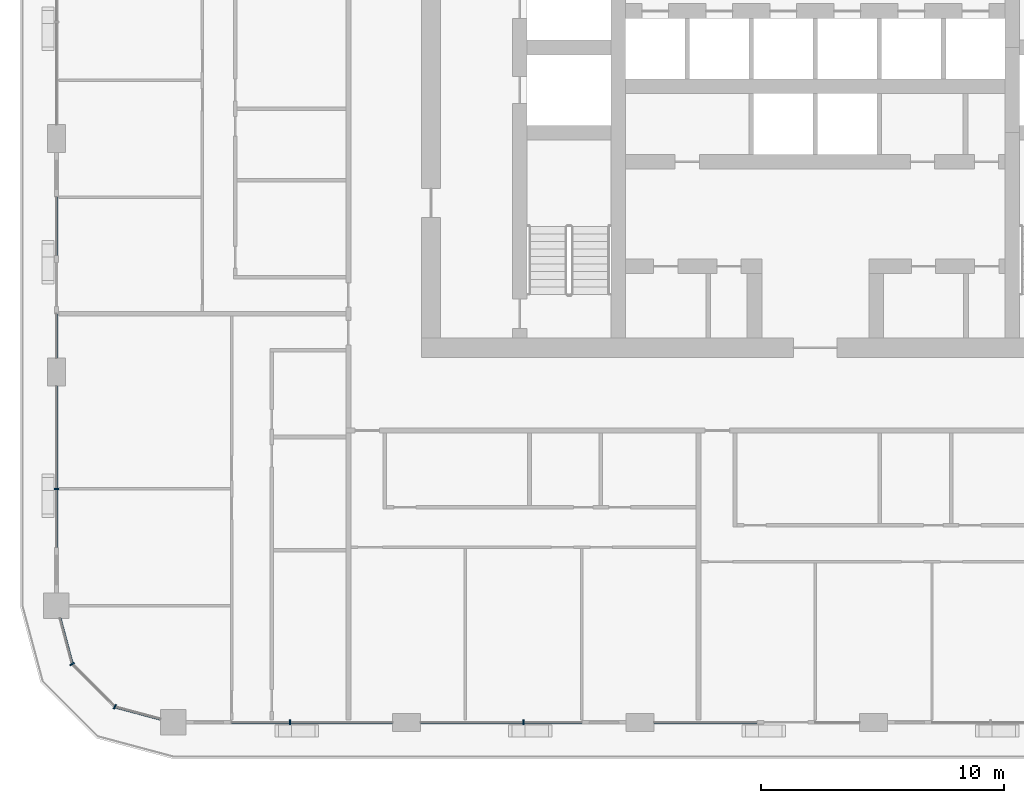
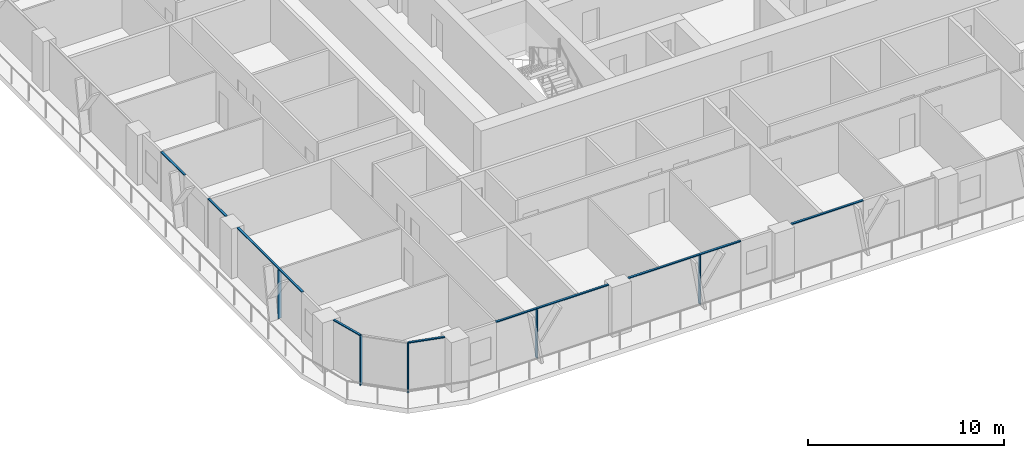
# One storey, part 2 of 22: 13 members, 6 elements without a shape of their own.
"""IFC4 building model written with IfcOpenShell, lengths in metres."""

from ifc_helpers import new_model, si_unit, direction, frame, origin, origin_2d, place, context, subcontext, project, spatial, rectangle, extrude, material, layer, layer_set, material_profile, profile_set, type_object, element, aggregate, save


model = new_model("IFC4")

# Units and contexts
model_context = context("Model", 3, precision=1e-05, world=origin(), true_north=direction((0.0, 1.0)))
body_context = subcontext(model_context, "Body", "Model", "MODEL_VIEW")
ifc_project = project(units=[si_unit("LENGTHUNIT", "METRE"), si_unit("AREAUNIT", "SQUARE_METRE"), si_unit("VOLUMEUNIT", "CUBIC_METRE"), si_unit("PLANEANGLEUNIT", "RADIAN"), si_unit("MASSUNIT", "GRAM", prefix="KILO")], contexts=[model_context])

# Site, building, storey
site_placement = place(None, origin())
site = spatial("IfcSite", under=ifc_project, at=site_placement, CompositionType="ELEMENT")
building_placement = place(site_placement, origin())
building = spatial("IfcBuilding", under=site, at=building_placement, Name="Madar Terraces", CompositionType="ELEMENT")
storey_placement = place(building_placement, frame((0.0, 0.0, 170.0)))
storey = spatial("IfcBuildingStorey", under=building, at=storey_placement, Name="L44", CompositionType="ELEMENT", Elevation=170.0)

# Curtain wall, member
ifc_material_1 = material(Name="Glass, ceramic frit dark grey, with black aluminium frame", Category="aluminium")
ifc_layer = layer(ifc_material_1, 0.199951171875)
ifc_layer_set = layer_set([ifc_layer], Name="Facade curtain wall, fritted glass")
curtain_wall_type = type_object("IfcCurtainWallType", Name="Facade curtain wall, fritted glass", PredefinedType="NOTDEFINED", material=ifc_layer_set)
curtain_wall_1_placement = place(storey_placement, origin())
curtain_wall_1 = element("IfcCurtainWall", 1, at=curtain_wall_1_placement, inside=storey, type_object=curtain_wall_type, Name="Outer skin curtain wall south bay 1", PredefinedType="NOTDEFINED")
ifc_material_2 = material(Name="Aluminium, black anodised", Category="aluminium")
ifc_material_profile_1 = material_profile(ifc_material_2, rectangle(XDim=0.199951171875, YDim=0.06005859375, at=origin_2d()), Name="Facade mullion 60x200")
ifc_profile_set_1 = profile_set([ifc_material_profile_1], Name="Aluminium, black anodised")
member_type_1 = type_object("IfcMemberType", Name="Facade mullion 60x200", PredefinedType="MULLION", material=ifc_profile_set_1)
member_1_placement = place(storey_placement, frame((9.60009765625, 0.0, 0.0), z_axis=(0.0, 0.0, 1.0), x_axis=(0.0, 1.0, 0.0)))
member_1 = element("IfcMember", 2, at=member_1_placement, type_object=member_type_1, Name="Mullion 1", PredefinedType="MULLION", context=body_context, shape_type="SweptSolid", body=[
    extrude(rectangle(XDim=0.199951171875, YDim=0.06005859375, at=origin_2d()), origin(), (0.0, 0.0, 1.0), 3.0400390625),
])

curtain_wall_2_placement = place(storey_placement, origin())
curtain_wall_2 = element("IfcCurtainWall", 3, at=curtain_wall_2_placement, inside=storey, type_object=curtain_wall_type, Name="Outer skin curtain wall south bay 2", PredefinedType="NOTDEFINED")
member_2_placement = place(storey_placement, frame((19.199951171875, 0.0, 0.0), z_axis=(0.0, 0.0, 1.0), x_axis=(0.0, 1.0, 0.0)))
member_2 = element("IfcMember", 4, at=member_2_placement, type_object=member_type_1, Name="Mullion 1", PredefinedType="MULLION", context=body_context, shape_type="SweptSolid", body=[
    extrude(rectangle(XDim=0.199951171875, YDim=0.06005859375, at=origin_2d()), origin(), (0.0, 0.0, 1.0), 3.0400390625),
])

curtain_wall_3_placement = place(storey_placement, origin())
curtain_wall_3 = element("IfcCurtainWall", 5, at=curtain_wall_3_placement, inside=storey, type_object=curtain_wall_type, Name="Outer skin curtain wall west bay 4", PredefinedType="NOTDEFINED")
member_3_placement = place(storey_placement, frame((0.0, 9.60009765625, 0.0), z_axis=(0.0, 0.0, 1.0), x_axis=(1.0, 0.0, 0.0)))
member_3 = element("IfcMember", 6, at=member_3_placement, type_object=member_type_1, Name="Mullion 1", PredefinedType="MULLION", context=body_context, shape_type="SweptSolid", body=[
    extrude(rectangle(XDim=0.199951171875, YDim=0.06005859375, at=origin_2d()), origin(), (0.0, 0.0, 1.0), 3.0400390625),
])

# Curtain wall, members
curtain_wall_4_placement = place(storey_placement, origin())
curtain_wall_4 = element("IfcCurtainWall", 7, at=curtain_wall_4_placement, inside=storey, type_object=curtain_wall_type, Name="Outer skin curtain wall south-west corner", PredefinedType="NOTDEFINED")
member_4_placement = place(storey_placement, frame((0.64306640625, 2.39990234375, 0.0), z_axis=(0.0, 0.0, 1.0), x_axis=(0.866025409797, 0.499999989586, 0.0)))
member_4 = element("IfcMember", 8, at=member_4_placement, type_object=member_type_1, Name="Mullion 1", PredefinedType="MULLION", context=body_context, shape_type="SweptSolid", body=[
    extrude(rectangle(XDim=0.199951171875, YDim=0.06005859375, at=origin_2d()), origin(), (0.0, 0.0, 1.0), 3.0400390625),
])
member_5_placement = place(storey_placement, frame((2.39990234375, 0.64306640625, 0.0), z_axis=(0.0, 0.0, 1.0), x_axis=(0.499999989586, 0.866025409797, 0.0)))
member_5 = element("IfcMember", 9, at=member_5_placement, type_object=member_type_1, Name="Mullion 2", PredefinedType="MULLION", context=body_context, shape_type="SweptSolid", body=[
    extrude(rectangle(XDim=0.199951171875, YDim=0.06005859375, at=origin_2d()), origin(), (0.0, 0.0, 1.0), 3.0400390625),
])

# Member
ifc_material_3 = material(Name="Aluminium, black anodised", Category="aluminium")
ifc_material_profile_2 = material_profile(ifc_material_3, rectangle(XDim=0.1201171875, YDim=0.06005859375, at=origin_2d()), Name="Facade transom 60x120")
ifc_profile_set_2 = profile_set([ifc_material_profile_2], Name="Aluminium, black anodised")
member_type_2 = type_object("IfcMemberType", Name="Facade transom 60x120", PredefinedType="USERDEFINED", material=ifc_profile_set_2)
member_6_placement = place(storey_placement, frame((7.199951171875, 0.0, 3.070068359375), z_axis=(1.0, 0.0, 0.0), x_axis=(0.0, 1.0, 0.0)))
member_6 = element("IfcMember", 10, at=member_6_placement, type_object=member_type_2, Name="Transom 1", ObjectType="TRANSOM", PredefinedType="USERDEFINED", context=body_context, shape_type="SweptSolid", body=[
    extrude(rectangle(XDim=0.1201171875, YDim=0.06005859375, at=origin_2d()), origin(), (0.0, 0.0, 1.0), 6.625),
])

aggregate(curtain_wall_1, [member_1, member_6])

member_7_placement = place(storey_placement, frame((14.97509765625, 0.0, 3.070068359375), z_axis=(1.0, 0.0, 0.0), x_axis=(0.0, 1.0, 0.0)))
member_7 = element("IfcMember", 11, at=member_7_placement, type_object=member_type_2, Name="Transom 1", ObjectType="TRANSOM", PredefinedType="USERDEFINED", context=body_context, shape_type="SweptSolid", body=[
    extrude(rectangle(XDim=0.1201171875, YDim=0.06005859375, at=origin_2d()), origin(), (0.0, 0.0, 1.0), 6.625),
])

aggregate(curtain_wall_2, [member_2, member_7])

# Curtain wall, member
curtain_wall_5_placement = place(storey_placement, origin())
curtain_wall_5 = element("IfcCurtainWall", 12, at=curtain_wall_5_placement, inside=storey, type_object=curtain_wall_type, Name="Outer skin curtain wall south bay 3", PredefinedType="NOTDEFINED")
member_8_placement = place(storey_placement, frame((24.574951171875, 0.0, 3.070068359375), z_axis=(1.0, 0.0, 0.0), x_axis=(0.0, 1.0, 0.0)))
member_8 = element("IfcMember", 13, at=member_8_placement, type_object=member_type_2, Name="Transom 1", ObjectType="TRANSOM", PredefinedType="USERDEFINED", context=body_context, shape_type="SweptSolid", body=[
    extrude(rectangle(XDim=0.1201171875, YDim=0.06005859375, at=origin_2d()), origin(), (0.0, 0.0, 1.0), 4.22509765625),
])
aggregate(curtain_wall_5, [member_8])

# Curtain wall, members
curtain_wall_6_placement = place(storey_placement, origin())
curtain_wall_6 = element("IfcCurtainWall", 14, at=curtain_wall_6_placement, inside=storey, type_object=curtain_wall_type, Name="Outer skin curtain wall west bay 3", PredefinedType="NOTDEFINED")
member_9_placement = place(storey_placement, frame((0.0, 21.60009765625, 3.070068359375), z_axis=(0.0, -1.0, 0.0), x_axis=(1.0, 0.0, 0.0)))
member_9 = element("IfcMember", 15, at=member_9_placement, type_object=member_type_2, Name="Transom 1", ObjectType="TRANSOM", PredefinedType="USERDEFINED", context=body_context, shape_type="SweptSolid", body=[
    extrude(rectangle(XDim=0.1201171875, YDim=0.06005859375, at=origin_2d()), origin(), (0.0, 0.0, 1.0), 2.400146484375),
])
member_10_placement = place(storey_placement, frame((0.0, 16.800048828125, 3.070068359375), z_axis=(0.0, -1.0, 0.0), x_axis=(1.0, 0.0, 0.0)))
member_10 = element("IfcMember", 16, at=member_10_placement, type_object=member_type_2, Name="Transom 2", ObjectType="TRANSOM", PredefinedType="USERDEFINED", context=body_context, shape_type="SweptSolid", body=[
    extrude(rectangle(XDim=0.1201171875, YDim=0.06005859375, at=origin_2d()), origin(), (0.0, 0.0, 1.0), 1.824951171875),
])
aggregate(curtain_wall_6, [member_9, member_10])

# Member
member_11_placement = place(storey_placement, frame((0.0, 13.824951171875, 3.070068359375), z_axis=(0.0, -1.0, 0.0), x_axis=(1.0, 0.0, 0.0)))
member_11 = element("IfcMember", 17, at=member_11_placement, type_object=member_type_2, Name="Transom 1", ObjectType="TRANSOM", PredefinedType="USERDEFINED", context=body_context, shape_type="SweptSolid", body=[
    extrude(rectangle(XDim=0.1201171875, YDim=0.06005859375, at=origin_2d()), origin(), (0.0, 0.0, 1.0), 6.625),
])

aggregate(curtain_wall_3, [member_3, member_11])

member_12_placement = place(storey_placement, frame((0.140625, 4.27490234375, 3.070068359375), z_axis=(0.258823354654, -0.965924671538, 0.0), x_axis=(0.965924671538, 0.258823354654, 0.0)))
member_12 = element("IfcMember", 18, at=member_12_placement, type_object=member_type_2, Name="Transom 1", ObjectType="TRANSOM", PredefinedType="USERDEFINED", context=body_context, shape_type="SweptSolid", body=[
    extrude(rectangle(XDim=0.1201171875, YDim=0.06005859375, at=origin_2d()), origin(), (0.0, 0.0, 1.0), 1.9111328125),
])

member_13_placement = place(storey_placement, frame((2.428955078125, 0.63525390625, 3.070068359375), z_axis=(0.965924671538, -0.258823354654, 0.0), x_axis=(0.258823354654, 0.965924671538, 0.0)))
member_13 = element("IfcMember", 19, at=member_13_placement, type_object=member_type_2, Name="Transom 3", ObjectType="TRANSOM", PredefinedType="USERDEFINED", context=body_context, shape_type="SweptSolid", body=[
    extrude(rectangle(XDim=0.1201171875, YDim=0.06005859375, at=origin_2d()), origin(), (0.0, 0.0, 1.0), 1.9111328125),
])

aggregate(curtain_wall_4, [member_4, member_12, member_5, member_13])

save(model, "model.ifc")
